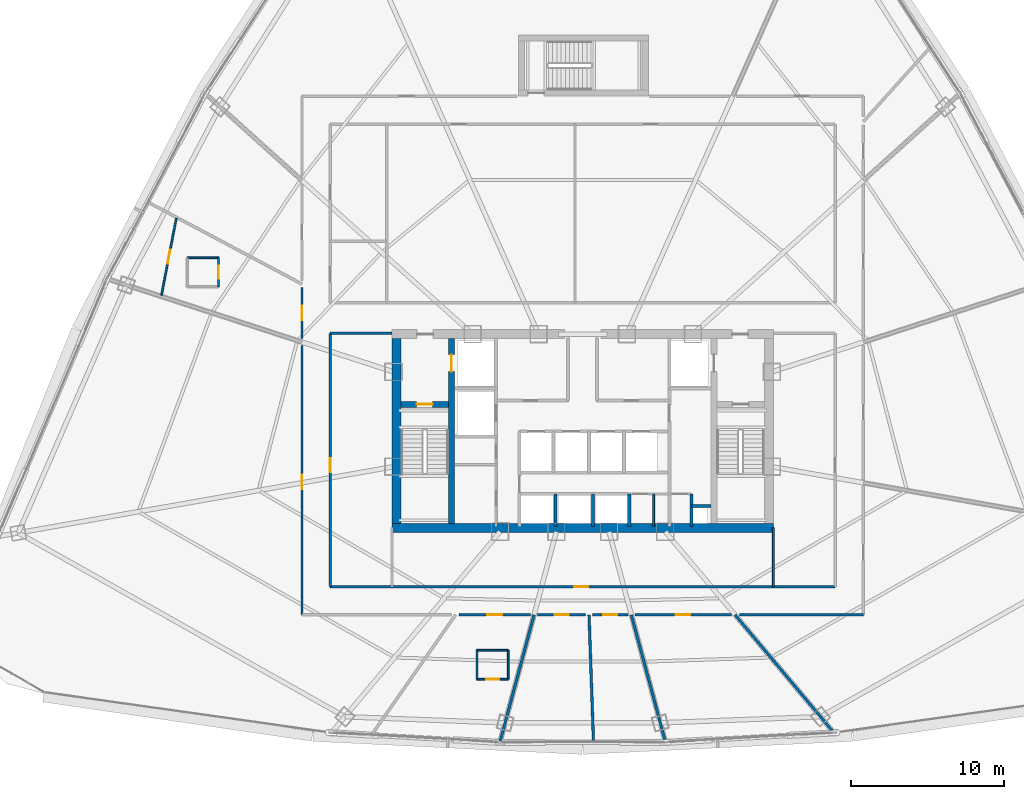
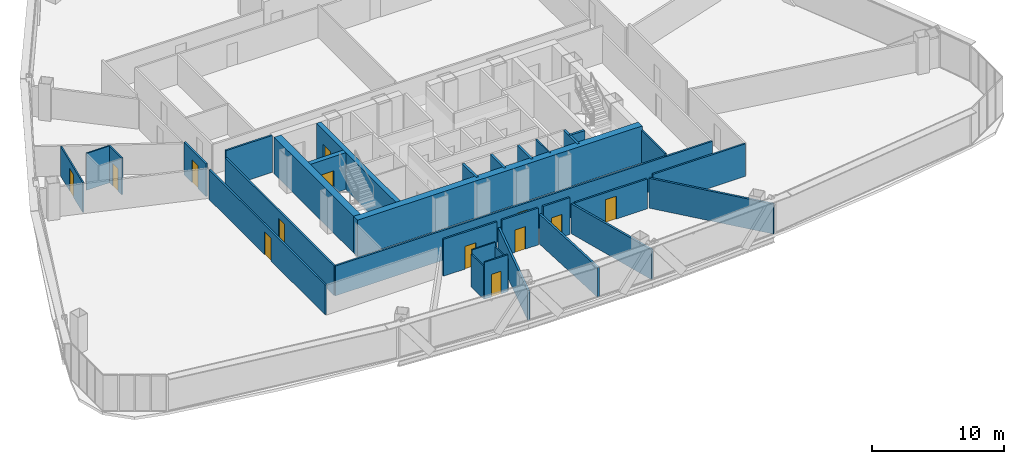
# One storey, part 34 of 41: 32 walls, 13 doors, 13 openings.
"""IFC4 building model written with IfcOpenShell, lengths in metres."""

from ifc_helpers import new_model, si_unit, direction, frame, frame_2d, origin, origin_with_axes, place, context, subcontext, project, spatial, rectangle, extrude, source, transform, mapped, material, layer, layer_set, type_object, element, fill, save


model = new_model("IFC4")

# Units and contexts
model_context = context("Model", 3, precision=1e-05, world=origin(), true_north=direction((0.0, 1.0)))
body_context = subcontext(model_context, "Body", "Model", "MODEL_VIEW")
ifc_project = project(units=[si_unit("LENGTHUNIT", "METRE"), si_unit("AREAUNIT", "SQUARE_METRE"), si_unit("VOLUMEUNIT", "CUBIC_METRE"), si_unit("PLANEANGLEUNIT", "RADIAN"), si_unit("MASSUNIT", "GRAM", prefix="KILO"), si_unit("THERMODYNAMICTEMPERATUREUNIT", "KELVIN"), si_unit("POWERUNIT", "WATT")], contexts=[model_context])

# Site, building, storey
site_placement = place(None, origin())
site = spatial("IfcSite", under=ifc_project, at=site_placement, CompositionType="ELEMENT")
building_placement = place(site_placement, origin())
building = spatial("IfcBuilding", under=site, at=building_placement, Name="Yunzhuo Pagoda Commons", CompositionType="ELEMENT")
storey_placement = place(building_placement, frame((0.0, 0.0, 155.590087890625)))
storey = spatial("IfcBuildingStorey", under=building, at=storey_placement, Name="L39", CompositionType="ELEMENT", Elevation=155.590087890625)

# Walls
ifc_material_1 = material(Name="Concrete C60", Category="concrete")
ifc_layer_1 = layer(ifc_material_1, 0.60009765625)
ifc_layer_set_1 = layer_set([ifc_layer_1], Name="Concrete C60")
wall_type_1 = type_object("IfcWallType", Name="W-C02 Mid Core Shear Wall 600", PredefinedType="SHEAR", material=ifc_layer_set_1)
wall_1_placement = place(storey_placement, frame((35.5, 27.5, 0.0), z_axis=(0.0, 0.0, 1.0), x_axis=(1.0, 0.0, 0.0)))
element("IfcWall", 1, at=wall_1_placement, inside=storey, type_object=wall_type_1, Name="L39 core shear wall S", PredefinedType="SHEAR", context=body_context, shape_type="SweptSolid", body=[
    extrude(rectangle(XDim=25.0, YDim=0.60009765625, at=frame_2d((12.5, 0.0))), origin(), (0.0, 0.0, 1.0), 3.419921875),
])
wall_2_placement = place(storey_placement, frame((35.800048828125, 27.800048828125, 0.0), z_axis=(0.0, 0.0, 1.0), x_axis=(0.0, 1.0, 0.0)))
element("IfcWall", 2, at=wall_2_placement, inside=storey, type_object=wall_type_1, Name="L39 core shear wall W", PredefinedType="SHEAR", context=body_context, shape_type="SweptSolid", body=[
    extrude(rectangle(XDim=12.099853515625, YDim=0.60009765625, at=frame_2d((6.0498046875, 0.0))), origin(), (0.0, 0.0, 1.0), 3.419921875),
])

# Wall, opening, door
ifc_material_2 = material(Name="Gypsum plasterboard on acoustic stud")
ifc_layer_2 = layer(ifc_material_2, 0.155029296875)
ifc_layer_set_2 = layer_set([ifc_layer_2], Name="Gypsum plasterboard on acoustic stud")
wall_type_2 = type_object("IfcWallType", Name="W-COR2 Mid-Zone Rated Corridor Wall 155", PredefinedType="PARTITIONING", material=ifc_layer_set_2)
wall_3_placement = place(storey_placement, frame((31.449951171875, 23.64990234375, 0.0), z_axis=(0.0, 0.0, 1.0), x_axis=(0.0, 1.0, 0.0)))
wall_3 = element("IfcWall", 3, at=wall_3_placement, inside=storey, type_object=wall_type_2, Name="L39 interior wall IW-L39-SFLW", PredefinedType="PARTITIONING", context=body_context, shape_type="SweptSolid", body=[
    extrude(rectangle(XDim=16.60009765625, YDim=0.155029296875, at=frame_2d((8.300048828125, 0.0))), origin(), (0.0, 0.0, 1.0), 2.77001953125),
])
opening_1_placement = place(wall_3_placement, frame((7.5, 0.0, 0.0)))
opening_1 = element("IfcOpeningElement", 4, at=opening_1_placement, cuts=wall_3, Name="Opening D-12", PredefinedType="OPENING", context=body_context, shape_type="SweptSolid", body=[
    extrude(rectangle(XDim=0.89990234375, YDim=2.080078125, at=frame_2d((0.449951171875, 1.0400390625))), frame((0.0, 0.08740234375, 0.0), z_axis=(0.0, -1.0, 0.0), x_axis=(1.0, 0.0, 0.0)), (0.0, 0.0, 1.0), 0.175048828125),
])
ifc_material_3 = material(Name="Powder-coated aluminium and timber acoustic leaf", Category="wood")
door_type_1 = type_object("IfcDoorType", Name="D-12 Quiet Study Interior Door 900x2080", OperationType="NOTDEFINED", PredefinedType="DOOR", material=ifc_material_3)
shared_shape_1 = source(origin(), body_context, "Body", "SweptSolid", [
    extrude(rectangle(XDim=0.89990234375, YDim=2.080078125, at=frame_2d((0.449951171875, 1.0400390625))), frame((0.0, 0.02490234375, 0.0), z_axis=(0.0, -1.0, 0.0), x_axis=(1.0, 0.0, 0.0)), (0.0, 0.0, 1.0), 0.050048828125),
])
door_1_placement = place(opening_1_placement, origin_with_axes())
door_1 = element("IfcDoor", 5, at=door_1_placement, inside=storey, type_object=door_type_1, Name="L39 west study workroom door", OperationType="SINGLE_SWING_LEFT", OverallHeight=2.080078125, OverallWidth=0.89990234375, PredefinedType="DOOR", context=body_context, shape_type="MappedRepresentation", body=[
    mapped(shared_shape_1, transform((0.0, 0.0, 0.0), scale=1.0)),
])
fill(opening_1, door_1)

wall_4_placement = place(storey_placement, frame((31.449951171875, 23.64990234375, 0.0), z_axis=(0.0, 0.0, 1.0), x_axis=(1.0, 0.0, 0.0)))
wall_4 = element("IfcWall", 6, at=wall_4_placement, inside=storey, type_object=wall_type_2, Name="L39 interior wall IW-L39-SFLS", PredefinedType="PARTITIONING", context=body_context, shape_type="SweptSolid", body=[
    extrude(rectangle(XDim=33.10009765625, YDim=0.155029296875, at=frame_2d((16.550048828125, 0.0))), origin(), (0.0, 0.0, 1.0), 2.77001953125),
])
opening_2_placement = place(wall_4_placement, frame((16.0, 0.0, 0.0)))
opening_2 = element("IfcOpeningElement", 7, at=opening_2_placement, cuts=wall_4, Name="Opening D-04", PredefinedType="OPENING", context=body_context, shape_type="SweptSolid", body=[
    extrude(rectangle(XDim=0.919921875, YDim=2.10009765625, at=frame_2d((0.4599609375, 1.050048828125))), frame((0.0, 0.08740234375, 0.0), z_axis=(0.0, -1.0, 0.0), x_axis=(1.0, 0.0, 0.0)), (0.0, 0.0, 1.0), 0.175048828125),
])
door_type_2 = type_object("IfcDoorType", Name="D-04 Bedroom & Study Interior Door 920x2100", OperationType="NOTDEFINED", PredefinedType="DOOR", material=ifc_material_3)
shared_shape_2 = source(origin(), body_context, "Body", "SweptSolid", [
    extrude(rectangle(XDim=0.919921875, YDim=2.10009765625, at=frame_2d((0.4599609375, 1.050048828125))), frame((0.0, 0.02490234375, 0.0), z_axis=(0.0, -1.0, 0.0), x_axis=(1.0, 0.0, 0.0)), (0.0, 0.0, 1.0), 0.050048828125),
])
door_2_placement = place(opening_2_placement, frame((0.919921875, 0.0, 0.0), z_axis=(0.0, 0.0, 1.0), x_axis=(-1.0, 0.0, 0.0)))
door_2 = element("IfcDoor", 8, at=door_2_placement, inside=storey, type_object=door_type_2, Name="L39 south seminar room door", OperationType="SINGLE_SWING_RIGHT", OverallHeight=2.10009765625, OverallWidth=0.919921875, PredefinedType="DOOR", context=body_context, shape_type="MappedRepresentation", body=[
    mapped(shared_shape_2, transform((0.0, 0.0, 0.0), scale=1.0)),
])
fill(opening_2, door_2)

# Wall
wall_5_placement = place(storey_placement, frame((31.449951171875, 40.25, 0.0), z_axis=(0.0, 0.0, 1.0), x_axis=(1.0, 0.0, 0.0)))
element("IfcWall", 9, at=wall_5_placement, inside=storey, type_object=wall_type_2, Name="L39 interior wall IW-L39-SFLNW", PredefinedType="PARTITIONING", context=body_context, shape_type="SweptSolid", body=[
    extrude(rectangle(XDim=4.050048828125, YDim=0.155029296875, at=frame_2d((2.02490234375, 0.0))), origin(), (0.0, 0.0, 1.0), 3.419921875),
])

# Wall, opening, door
wall_6_placement = place(storey_placement, frame((29.60009765625, 21.800048828125, 0.0), z_axis=(0.0, 0.0, 1.0), x_axis=(0.0, 1.0, 0.0)))
wall_6 = element("IfcWall", 10, at=wall_6_placement, inside=storey, type_object=wall_type_2, Name="L39 interior wall IW-L39-CWL01", PredefinedType="PARTITIONING", context=body_context, shape_type="SweptSolid", body=[
    extrude(rectangle(XDim=17.65869140625, YDim=0.155029296875, at=frame_2d((8.829345703125, 0.0))), origin(), (0.0, 0.0, 1.0), 2.77001953125),
])
opening_3_placement = place(wall_6_placement, frame((8.234375, 0.0, 0.0)))
opening_3 = element("IfcOpeningElement", 11, at=opening_3_placement, cuts=wall_6, Name="Opening D-07", PredefinedType="OPENING", context=body_context, shape_type="SweptSolid", body=[
    extrude(rectangle(XDim=0.9599609375, YDim=2.1201171875, at=frame_2d((0.47998046875, 1.06005859375))), frame((0.0, 0.08740234375, 0.0), z_axis=(0.0, -1.0, 0.0), x_axis=(1.0, 0.0, 0.0)), (0.0, 0.0, 1.0), 0.175048828125),
])
ifc_material_4 = material(Name="Galvanized fire-resisting metal leaf")
door_type_3 = type_object("IfcDoorType", Name="D-07 Mid-Zone Suite Entrance Fire Door 960x2120", OperationType="NOTDEFINED", PredefinedType="DOOR", material=ifc_material_4)
shared_shape_3 = source(origin(), body_context, "Body", "SweptSolid", [
    extrude(rectangle(XDim=0.9599609375, YDim=2.1201171875, at=frame_2d((0.47998046875, 1.06005859375))), frame((0.0, 0.02490234375, 0.0), z_axis=(0.0, -1.0, 0.0), x_axis=(1.0, 0.0, 0.0)), (0.0, 0.0, 1.0), 0.050048828125),
])
door_3_placement = place(opening_3_placement, origin_with_axes())
door_3 = element("IfcDoor", 12, at=door_3_placement, inside=storey, type_object=door_type_3, Name="L39 Resident Co-Living Commons Hall door", OperationType="SINGLE_SWING_RIGHT", OverallHeight=2.1201171875, OverallWidth=0.9599609375, PredefinedType="DOOR", context=body_context, shape_type="MappedRepresentation", body=[
    mapped(shared_shape_3, transform((0.0, 0.0, 0.0), scale=1.0)),
])
fill(opening_3, door_3)

wall_7_placement = place(storey_placement, frame((29.60009765625, 39.909912109375, 0.0), z_axis=(0.0, 0.0, 1.0), x_axis=(0.0, 1.0, 0.0)))
wall_7 = element("IfcWall", 13, at=wall_7_placement, inside=storey, type_object=wall_type_2, Name="L39 interior wall IW-L39-CWL02", PredefinedType="PARTITIONING", context=body_context, shape_type="SweptSolid", body=[
    extrude(rectangle(XDim=3.353515625, YDim=0.155029296875, at=frame_2d((1.6767578125, 0.0))), origin(), (0.0, 0.0, 1.0), 3.02001953125),
])
opening_4_placement = place(wall_7_placement, frame((1.1962890625, 0.0, 0.0)))
opening_4 = element("IfcOpeningElement", 14, at=opening_4_placement, cuts=wall_7, Name="Opening D-07", PredefinedType="OPENING", context=body_context, shape_type="SweptSolid", body=[
    extrude(rectangle(XDim=0.9599609375, YDim=2.1201171875, at=frame_2d((0.47998046875, 1.06005859375))), frame((0.0, 0.08740234375, 0.0), z_axis=(0.0, -1.0, 0.0), x_axis=(1.0, 0.0, 0.0)), (0.0, 0.0, 1.0), 0.175048828125),
])
door_4_placement = place(opening_4_placement, origin_with_axes())
door_4 = element("IfcDoor", 15, at=door_4_placement, inside=storey, type_object=door_type_3, Name="L39 unit 07 entrance door", OperationType="SINGLE_SWING_LEFT", OverallHeight=2.1201171875, OverallWidth=0.9599609375, PredefinedType="DOOR", context=body_context, shape_type="MappedRepresentation", body=[
    mapped(shared_shape_3, transform((0.0, 0.0, 0.0), scale=1.0)),
])
fill(opening_4, door_4)

# Wall
wall_8_placement = place(storey_placement, frame((66.39990234375, 21.800048828125, 0.0), z_axis=(0.0, 0.0, 1.0), x_axis=(-1.0, 0.0, 0.0)))
element("IfcWall", 16, at=wall_8_placement, inside=storey, type_object=wall_type_2, Name="L39 interior wall IW-L39-CWL13", PredefinedType="PARTITIONING", context=body_context, shape_type="SweptSolid", body=[
    extrude(rectangle(XDim=8.12744140625, YDim=0.155029296875, at=frame_2d((4.063720703125, 0.0))), origin(), (0.0, 0.0, 1.0), 3.02001953125),
])

# Wall, opening, door
wall_9_placement = place(storey_placement, frame((57.765380859375, 21.800048828125, 0.0), z_axis=(0.0, 0.0, 1.0), x_axis=(-1.0, 0.0, 0.0)))
wall_9 = element("IfcWall", 17, at=wall_9_placement, inside=storey, type_object=wall_type_2, Name="L39 interior wall IW-L39-CWL14", PredefinedType="PARTITIONING", context=body_context, shape_type="SweptSolid", body=[
    extrude(rectangle(XDim=6.348876953125, YDim=0.155029296875, at=frame_2d((3.17431640625, 0.0))), origin(), (0.0, 0.0, 1.0), 2.77001953125),
])
opening_5_placement = place(wall_9_placement, frame((2.703369140625, 0.0, 0.0)))
opening_5 = element("IfcOpeningElement", 18, at=opening_5_placement, cuts=wall_9, Name="Opening D-07", PredefinedType="OPENING", context=body_context, shape_type="SweptSolid", body=[
    extrude(rectangle(XDim=0.9599609375, YDim=2.1201171875, at=frame_2d((0.47998046875, 1.06005859375))), frame((0.0, 0.08740234375, 0.0), z_axis=(0.0, -1.0, 0.0), x_axis=(1.0, 0.0, 0.0)), (0.0, 0.0, 1.0), 0.175048828125),
])
door_5_placement = place(opening_5_placement, origin_with_axes())
door_5 = element("IfcDoor", 19, at=door_5_placement, inside=storey, type_object=door_type_3, Name="L39 unit 12 entrance door", OperationType="SINGLE_SWING_RIGHT", OverallHeight=2.1201171875, OverallWidth=0.9599609375, PredefinedType="DOOR", context=body_context, shape_type="MappedRepresentation", body=[
    mapped(shared_shape_3, transform((0.0, 0.0, 0.0), scale=1.0)),
])
fill(opening_5, door_5)

wall_10_placement = place(storey_placement, frame((50.96875, 21.800048828125, 0.0), z_axis=(0.0, 0.0, 1.0), x_axis=(-1.0, 0.0, 0.0)))
wall_10 = element("IfcWall", 20, at=wall_10_placement, inside=storey, type_object=wall_type_2, Name="L39 interior wall IW-L39-CWL15", PredefinedType="PARTITIONING", context=body_context, shape_type="SweptSolid", body=[
    extrude(rectangle(XDim=2.3330078125, YDim=0.155029296875, at=frame_2d((1.16650390625, 0.0))), origin(), (0.0, 0.0, 1.0), 3.419921875),
])
opening_6_placement = place(wall_10_placement, frame((0.706787109375, 0.0, 0.0)))
opening_6 = element("IfcOpeningElement", 21, at=opening_6_placement, cuts=wall_10, Name="Opening D-04", PredefinedType="OPENING", context=body_context, shape_type="SweptSolid", body=[
    extrude(rectangle(XDim=0.919921875, YDim=2.10009765625, at=frame_2d((0.4599609375, 1.050048828125))), frame((0.0, 0.08740234375, 0.0), z_axis=(0.0, -1.0, 0.0), x_axis=(1.0, 0.0, 0.0)), (0.0, 0.0, 1.0), 0.175048828125),
])
door_6_placement = place(opening_6_placement, origin_with_axes())
door_6 = element("IfcDoor", 22, at=door_6_placement, inside=storey, type_object=door_type_2, Name="L39 fellow workroom 11 door", OperationType="SINGLE_SWING_LEFT", OverallHeight=2.10009765625, OverallWidth=0.919921875, PredefinedType="DOOR", context=body_context, shape_type="MappedRepresentation", body=[
    mapped(shared_shape_2, transform((0.0, 0.0, 0.0), scale=1.0)),
])
fill(opening_6, door_6)

wall_11_placement = place(storey_placement, frame((48.19580078125, 21.800048828125, 0.0), z_axis=(0.0, 0.0, 1.0), x_axis=(-1.0, 0.0, 0.0)))
wall_11 = element("IfcWall", 23, at=wall_11_placement, inside=storey, type_object=wall_type_2, Name="L39 interior wall IW-L39-CWL16", PredefinedType="PARTITIONING", context=body_context, shape_type="SweptSolid", body=[
    extrude(rectangle(XDim=3.16455078125, YDim=0.155029296875, at=frame_2d((1.582275390625, 0.0))), origin(), (0.0, 0.0, 1.0), 3.419921875),
])
opening_7_placement = place(wall_11_placement, frame((1.122314453125, 0.0, 0.0)))
opening_7 = element("IfcOpeningElement", 24, at=opening_7_placement, cuts=wall_11, Name="Opening D-04", PredefinedType="OPENING", context=body_context, shape_type="SweptSolid", body=[
    extrude(rectangle(XDim=0.919921875, YDim=2.10009765625, at=frame_2d((0.4599609375, 1.050048828125))), frame((0.0, 0.08740234375, 0.0), z_axis=(0.0, -1.0, 0.0), x_axis=(1.0, 0.0, 0.0)), (0.0, 0.0, 1.0), 0.175048828125),
])
door_7_placement = place(opening_7_placement, origin_with_axes())
door_7 = element("IfcDoor", 25, at=door_7_placement, inside=storey, type_object=door_type_2, Name="L39 fellow workroom 10 door", OperationType="SINGLE_SWING_RIGHT", OverallHeight=2.10009765625, OverallWidth=0.919921875, PredefinedType="DOOR", context=body_context, shape_type="MappedRepresentation", body=[
    mapped(shared_shape_2, transform((0.0, 0.0, 0.0), scale=1.0)),
])
fill(opening_7, door_7)

wall_12_placement = place(storey_placement, frame((44.58349609375, 21.800048828125, 0.0), z_axis=(0.0, 0.0, 1.0), x_axis=(-1.0, 0.0, 0.0)))
wall_12 = element("IfcWall", 26, at=wall_12_placement, inside=storey, type_object=wall_type_2, Name="L39 interior wall IW-L39-CWL17", PredefinedType="PARTITIONING", context=body_context, shape_type="SweptSolid", body=[
    extrude(rectangle(XDim=4.6962890625, YDim=0.155029296875, at=frame_2d((2.34814453125, 0.0))), origin(), (0.0, 0.0, 1.0), 3.419921875),
])
opening_8_placement = place(wall_12_placement, frame((1.869140625, 0.0, 0.0)))
opening_8 = element("IfcOpeningElement", 27, at=opening_8_placement, cuts=wall_12, Name="Opening D-07", PredefinedType="OPENING", context=body_context, shape_type="SweptSolid", body=[
    extrude(rectangle(XDim=0.9599609375, YDim=2.1201171875, at=frame_2d((0.47998046875, 1.06005859375))), frame((0.0, 0.08740234375, 0.0), z_axis=(0.0, -1.0, 0.0), x_axis=(1.0, 0.0, 0.0)), (0.0, 0.0, 1.0), 0.175048828125),
])
door_8_placement = place(opening_8_placement, origin_with_axes())
door_8 = element("IfcDoor", 28, at=door_8_placement, inside=storey, type_object=door_type_3, Name="L39 unit 09 entrance door", OperationType="SINGLE_SWING_LEFT", OverallHeight=2.1201171875, OverallWidth=0.9599609375, PredefinedType="DOOR", context=body_context, shape_type="MappedRepresentation", body=[
    mapped(shared_shape_3, transform((0.0, 0.0, 0.0), scale=1.0)),
])
fill(opening_8, door_8)

# Walls
ifc_layer_3 = layer(ifc_material_2, 0.1201171875)
ifc_layer_set_3 = layer_set([ifc_layer_3], Name="Gypsum plasterboard on acoustic stud")
wall_type_3 = type_object("IfcWallType", Name="W-PRT1 Suite & Bathroom Partition 120", PredefinedType="PARTITIONING", material=ifc_layer_set_3)
wall_13_placement = place(storey_placement, frame((52.64990234375, 27.60009765625, 0.0), z_axis=(0.0, 0.0, 1.0), x_axis=(0.0, 1.0, 0.0)))
element("IfcWall", 29, at=wall_13_placement, inside=storey, type_object=wall_type_3, Name="L39 interior wall IW-L39-CD2", PredefinedType="PARTITIONING", context=body_context, shape_type="SweptSolid", body=[
    extrude(rectangle(XDim=2.119873046875, YDim=0.1201171875, at=frame_2d((1.06005859375, 0.0))), origin(), (0.0, 0.0, 1.0), 3.419921875),
])
wall_14_placement = place(storey_placement, frame((60.5, 23.64990234375, 0.0), z_axis=(0.0, 0.0, 1.0), x_axis=(0.0, 1.0, 0.0)))
element("IfcWall", 30, at=wall_14_placement, inside=storey, type_object=wall_type_3, Name="L39 interior wall IW-L39-SFLD2", PredefinedType="PARTITIONING", context=body_context, shape_type="SweptSolid", body=[
    extrude(rectangle(XDim=3.85009765625, YDim=0.1201171875, at=frame_2d((1.925048828125, 0.0))), origin(), (0.0, 0.0, 1.0), 3.02001953125),
])

# Wall, opening, door
wall_15_placement = place(storey_placement, frame((24.1298828125, 43.31005859375, 0.0), z_axis=(0.0, 0.0, 1.0), x_axis=(0.0, 1.0, 0.0)))
wall_15 = element("IfcWall", 31, at=wall_15_placement, inside=storey, type_object=wall_type_3, Name="L39 interior wall IW-L39-B07E", PredefinedType="PARTITIONING", context=body_context, shape_type="SweptSolid", body=[
    extrude(rectangle(XDim=1.89990234375, YDim=0.1201171875, at=frame_2d((0.949951171875, 0.0))), origin(), (0.0, 0.0, 1.0), 3.419921875),
])
opening_9_placement = place(wall_15_placement, frame((0.52490234375, 0.0, 0.0)))
opening_9 = element("IfcOpeningElement", 32, at=opening_9_placement, cuts=wall_15, Name="Opening D-05", PredefinedType="OPENING", context=body_context, shape_type="SweptSolid", body=[
    extrude(rectangle(XDim=0.85009765625, YDim=2.10009765625, at=frame_2d((0.425048828125, 1.050048828125))), frame((0.0, 0.070068359375, 0.0), z_axis=(0.0, -1.0, 0.0), x_axis=(1.0, 0.0, 0.0)), (0.0, 0.0, 1.0), 0.14013671875),
])
door_type_4 = type_object("IfcDoorType", Name="D-05 En-Suite Bathroom Door 850x2100", OperationType="NOTDEFINED", PredefinedType="DOOR", material=ifc_material_3)
shared_shape_4 = source(origin(), body_context, "Body", "SweptSolid", [
    extrude(rectangle(XDim=0.85009765625, YDim=2.10009765625, at=frame_2d((0.425048828125, 1.050048828125))), frame((0.0, 0.02490234375, 0.0), z_axis=(0.0, -1.0, 0.0), x_axis=(1.0, 0.0, 0.0)), (0.0, 0.0, 1.0), 0.050048828125),
])
door_9_placement = place(opening_9_placement, frame((0.85009765625, 0.0, 0.0), z_axis=(0.0, 0.0, 1.0), x_axis=(-1.0, 0.0, 0.0)))
door_9 = element("IfcDoor", 33, at=door_9_placement, inside=storey, type_object=door_type_4, Name="L39 unit 07 bathroom door", OperationType="SINGLE_SWING_LEFT", OverallHeight=2.10009765625, OverallWidth=0.85009765625, PredefinedType="DOOR", context=body_context, shape_type="MappedRepresentation", body=[
    mapped(shared_shape_4, transform((0.0, 0.0, 0.0), scale=1.0)),
])
fill(opening_9, door_9)

# Wall
wall_16_placement = place(storey_placement, frame((24.1298828125, 45.2099609375, 0.0), z_axis=(0.0, 0.0, 1.0), x_axis=(-1.0, 0.0, 0.0)))
element("IfcWall", 34, at=wall_16_placement, inside=storey, type_object=wall_type_3, Name="L39 interior wall IW-L39-B07N", PredefinedType="PARTITIONING", context=body_context, shape_type="SweptSolid", body=[
    extrude(rectangle(XDim=2.0498046875, YDim=0.1201171875, at=frame_2d((1.02490234375, 0.0))), origin(), (0.0, 0.0, 1.0), 3.419921875),
])

# Wall, opening, door
wall_17_placement = place(storey_placement, frame((21.363525390625, 47.794921875, 0.0), z_axis=(0.0, 0.0, 1.0), x_axis=(-0.188731428073, -0.982028740953, 0.0)))
wall_17 = element("IfcWall", 35, at=wall_17_placement, inside=storey, type_object=wall_type_3, Name="L39 interior wall IW-L39-CLB07", PredefinedType="PARTITIONING", context=body_context, shape_type="SweptSolid", body=[
    extrude(rectangle(XDim=5.153564453125, YDim=0.1201171875, at=frame_2d((2.57666015625, 0.0))), origin(), (0.0, 0.0, 1.0), 2.77001953125),
])
opening_10_placement = place(wall_17_placement, frame((2.116943359375, 0.0, 0.0)))
opening_10 = element("IfcOpeningElement", 36, at=opening_10_placement, cuts=wall_17, Name="Opening D-04", PredefinedType="OPENING", context=body_context, shape_type="SweptSolid", body=[
    extrude(rectangle(XDim=0.919921875, YDim=2.10009765625, at=frame_2d((0.4599609375, 1.050048828125))), frame((0.0, 0.070068359375, 0.0), z_axis=(0.0, -1.0, 0.0), x_axis=(1.0, 0.0, 0.0)), (0.0, 0.0, 1.0), 0.14013671875),
])
door_10_placement = place(opening_10_placement, origin_with_axes())
door_10 = element("IfcDoor", 37, at=door_10_placement, inside=storey, type_object=door_type_2, Name="L39 suite 07 bedroom door", OperationType="SINGLE_SWING_LEFT", OverallHeight=2.10009765625, OverallWidth=0.919921875, PredefinedType="DOOR", context=body_context, shape_type="MappedRepresentation", body=[
    mapped(shared_shape_2, transform((0.0, 0.0, 0.0), scale=1.0)),
])
fill(opening_10, door_10)

wall_18_placement = place(storey_placement, frame((41.06689453125, 17.5810546875, 0.0), z_axis=(0.0, 0.0, 1.0), x_axis=(1.0, 0.0, 0.0)))
wall_18 = element("IfcWall", 38, at=wall_18_placement, inside=storey, type_object=wall_type_3, Name="L39 interior wall IW-L39-B09S", PredefinedType="PARTITIONING", context=body_context, shape_type="SweptSolid", body=[
    extrude(rectangle(XDim=2.050048828125, YDim=0.1201171875, at=frame_2d((1.02490234375, 0.0))), origin(), (0.0, 0.0, 1.0), 3.419921875),
])
opening_11_placement = place(wall_18_placement, frame((0.60009765625, 0.0, 0.0)))
opening_11 = element("IfcOpeningElement", 39, at=opening_11_placement, cuts=wall_18, Name="Opening D-05", PredefinedType="OPENING", context=body_context, shape_type="SweptSolid", body=[
    extrude(rectangle(XDim=0.85009765625, YDim=2.10009765625, at=frame_2d((0.425048828125, 1.050048828125))), frame((0.0, 0.070068359375, 0.0), z_axis=(0.0, -1.0, 0.0), x_axis=(1.0, 0.0, 0.0)), (0.0, 0.0, 1.0), 0.14013671875),
])
door_11_placement = place(opening_11_placement, frame((0.85009765625, 0.0, 0.0), z_axis=(0.0, 0.0, 1.0), x_axis=(-1.0, 0.0, 0.0)))
door_11 = element("IfcDoor", 40, at=door_11_placement, inside=storey, type_object=door_type_4, Name="L39 unit 09 bathroom door", OperationType="SINGLE_SWING_LEFT", OverallHeight=2.10009765625, OverallWidth=0.85009765625, PredefinedType="DOOR", context=body_context, shape_type="MappedRepresentation", body=[
    mapped(shared_shape_4, transform((0.0, 0.0, 0.0), scale=1.0)),
])
fill(opening_11, door_11)

# Walls
wall_19_placement = place(storey_placement, frame((43.116943359375, 17.5810546875, 0.0), z_axis=(0.0, 0.0, 1.0), x_axis=(0.0, 1.0, 0.0)))
element("IfcWall", 41, at=wall_19_placement, inside=storey, type_object=wall_type_3, Name="L39 interior wall IW-L39-B09E", PredefinedType="PARTITIONING", context=body_context, shape_type="SweptSolid", body=[
    extrude(rectangle(XDim=1.89990234375, YDim=0.1201171875, at=frame_2d((0.949951171875, 0.0))), origin(), (0.0, 0.0, 1.0), 3.02001953125),
])
wall_20_placement = place(storey_placement, frame((43.116943359375, 19.48095703125, 0.0), z_axis=(0.0, 0.0, 1.0), x_axis=(-1.0, 0.0, 0.0)))
element("IfcWall", 42, at=wall_20_placement, inside=storey, type_object=wall_type_3, Name="L39 interior wall IW-L39-B09N", PredefinedType="PARTITIONING", context=body_context, shape_type="SweptSolid", body=[
    extrude(rectangle(XDim=2.050048828125, YDim=0.1201171875, at=frame_2d((1.02490234375, 0.0))), origin(), (0.0, 0.0, 1.0), 3.419921875),
])
wall_21_placement = place(storey_placement, frame((41.06689453125, 19.48095703125, 0.0), z_axis=(0.0, 0.0, 1.0), x_axis=(0.0, -1.0, 0.0)))
element("IfcWall", 43, at=wall_21_placement, inside=storey, type_object=wall_type_3, Name="L39 interior wall IW-L39-B09W", PredefinedType="PARTITIONING", context=body_context, shape_type="SweptSolid", body=[
    extrude(rectangle(XDim=1.89990234375, YDim=0.1201171875, at=frame_2d((0.949951171875, 0.0))), origin(), (0.0, 0.0, 1.0), 3.02001953125),
])
ifc_layer_4 = layer(ifc_material_2, 0.175048828125)
ifc_layer_set_4 = layer_set([ifc_layer_4], Name="Gypsum plasterboard on acoustic stud")
wall_type_4 = type_object("IfcWallType", Name="W-PRT3 Mid-Zone Demising Wall 175", PredefinedType="PARTITIONING", material=ifc_layer_set_4)
wall_22_placement = place(storey_placement, frame((44.811279296875, 21.800048828125, 0.0), z_axis=(0.0, 0.0, 1.0), x_axis=(-0.258790159725, -0.96593356564, 0.0)))
element("IfcWall", 44, at=wall_22_placement, inside=storey, type_object=wall_type_4, Name="L39 interior wall IW-L39-RAD09", PredefinedType="PARTITIONING", context=body_context, shape_type="SweptSolid", body=[
    extrude(rectangle(XDim=8.65087890625, YDim=0.175048828125, at=frame_2d((4.325439453125, 0.0))), origin(), (0.0, 0.0, 1.0), 2.77001953125),
])
wall_23_placement = place(storey_placement, frame((48.41552734375, 21.800048828125, 0.0), z_axis=(0.0, 0.0, 1.0), x_axis=(0.034921859784, -0.999390045833, 0.0)))
element("IfcWall", 45, at=wall_23_placement, inside=storey, type_object=wall_type_4, Name="L39 interior wall IW-L39-RAD10", PredefinedType="PARTITIONING", context=body_context, shape_type="SweptSolid", body=[
    extrude(rectangle(XDim=8.361328125, YDim=0.175048828125, at=frame_2d((4.1806640625, 0.0))), origin(), (0.0, 0.0, 1.0), 2.77001953125),
])
wall_24_placement = place(storey_placement, frame((51.188720703125, 21.800048828125, 0.0), z_axis=(0.0, 0.0, 1.0), x_axis=(0.258790159725, -0.96593356564, 0.0)))
element("IfcWall", 46, at=wall_24_placement, inside=storey, type_object=wall_type_4, Name="L39 interior wall IW-L39-RAD11", PredefinedType="PARTITIONING", context=body_context, shape_type="SweptSolid", body=[
    extrude(rectangle(XDim=8.65087890625, YDim=0.175048828125, at=frame_2d((4.325439453125, 0.0))), origin(), (0.0, 0.0, 1.0), 2.77001953125),
])
wall_25_placement = place(storey_placement, frame((57.9853515625, 21.800048828125, 0.0), z_axis=(0.0, 0.0, 1.0), x_axis=(0.642793186641, -0.766039763464, 0.0)))
element("IfcWall", 47, at=wall_25_placement, inside=storey, type_object=wall_type_4, Name="L39 interior wall IW-L39-RAD12", PredefinedType="PARTITIONING", context=body_context, shape_type="SweptSolid", body=[
    extrude(rectangle(XDim=10.0927734375, YDim=0.175048828125, at=frame_2d((5.04638671875, 0.0))), origin(), (0.0, 0.0, 1.0), 2.77001953125),
])

# Wall, opening, door
ifc_layer_5 = layer(ifc_material_1, 0.39990234375)
ifc_layer_set_5 = layer_set([ifc_layer_5], Name="Concrete C60")
wall_type_5 = type_object("IfcWallType", Name="W-S01 Internal Core Shear Web 400", PredefinedType="SHEAR", material=ifc_layer_set_5)
wall_26_placement = place(storey_placement, frame((39.39990234375, 27.800048828125, 0.0), z_axis=(0.0, 0.0, 1.0), x_axis=(0.0, 1.0, 0.0)))
wall_26 = element("IfcWall", 48, at=wall_26_placement, inside=storey, type_object=wall_type_5, Name="L39 core shear wall WEBW", PredefinedType="SHEAR", context=body_context, shape_type="SweptSolid", body=[
    extrude(rectangle(XDim=12.099853515625, YDim=0.39990234375, at=frame_2d((6.0498046875, 0.0))), origin(), (0.0, 0.0, 1.0), 3.419921875),
])
opening_12_placement = place(wall_26_placement, frame((9.949951171875, 0.0, 0.0)))
opening_12 = element("IfcOpeningElement", 49, at=opening_12_placement, cuts=wall_26, Name="Opening LD-01", PredefinedType="OPENING", context=body_context, shape_type="SweptSolid", body=[
    extrude(rectangle(XDim=1.10009765625, YDim=2.10009765625, at=frame_2d((0.550048828125, 1.050048828125))), frame((0.0, 0.2099609375, 0.0), z_axis=(0.0, -1.0, 0.0), x_axis=(1.0, 0.0, 0.0)), (0.0, 0.0, 1.0), 0.419921875),
])
door_type_5 = type_object("IfcDoorType", Name="LD-01 Firefighting Lift Landing Door 1100x2100", OperationType="DOUBLE_DOOR_SLIDING", PredefinedType="DOOR", material=ifc_material_4)
shared_shape_5 = source(origin(), body_context, "Body", "SweptSolid", [
    extrude(rectangle(XDim=1.10009765625, YDim=2.10009765625, at=frame_2d((0.550048828125, 1.050048828125))), frame((0.0, 0.02490234375, 0.0), z_axis=(0.0, -1.0, 0.0), x_axis=(1.0, 0.0, 0.0)), (0.0, 0.0, 1.0), 0.050048828125),
])
door_12_placement = place(opening_12_placement, frame((1.10009765625, 0.0, 0.0), z_axis=(0.0, 0.0, 1.0), x_axis=(-1.0, 0.0, 0.0)))
door_12 = element("IfcDoor", 50, at=door_12_placement, inside=storey, type_object=door_type_5, Name="L39 Firefighting lift FL-1 landing door", OperationType="DOUBLE_DOOR_SLIDING", OverallHeight=2.10009765625, OverallWidth=1.10009765625, PredefinedType="DOOR", context=body_context, shape_type="MappedRepresentation", body=[
    mapped(shared_shape_5, transform((0.0, 0.0, 0.0), scale=1.0)),
])
fill(opening_12, door_12)

wall_27_placement = place(storey_placement, frame((36.10009765625, 35.60009765625, 0.0), z_axis=(0.0, 0.0, 1.0), x_axis=(1.0, 0.0, 0.0)))
wall_27 = element("IfcWall", 51, at=wall_27_placement, inside=storey, type_object=wall_type_5, Name="L39 core shear wall STW", PredefinedType="SHEAR", context=body_context, shape_type="SweptSolid", body=[
    extrude(rectangle(XDim=3.099853515625, YDim=0.39990234375, at=frame_2d((1.5498046875, 0.0))), origin(), (0.0, 0.0, 1.0), 3.419921875),
])
opening_13_placement = place(wall_27_placement, frame((1.02001953125, 0.0, 0.0)))
opening_13 = element("IfcOpeningElement", 52, at=opening_13_placement, cuts=wall_27, Name="Opening D-01", PredefinedType="OPENING", context=body_context, shape_type="SweptSolid", body=[
    extrude(rectangle(XDim=1.050048828125, YDim=2.10009765625, at=frame_2d((0.52490234375, 1.050048828125))), frame((0.0, 0.2099609375, 0.0), z_axis=(0.0, -1.0, 0.0), x_axis=(1.0, 0.0, 0.0)), (0.0, 0.0, 1.0), 0.419921875),
])
door_type_6 = type_object("IfcDoorType", Name="D-01 Smokeproof Stair Fire Door 1050x2100", OperationType="NOTDEFINED", PredefinedType="DOOR", material=ifc_material_4)
shared_shape_6 = source(origin(), body_context, "Body", "SweptSolid", [
    extrude(rectangle(XDim=1.050048828125, YDim=2.10009765625, at=frame_2d((0.52490234375, 1.050048828125))), frame((0.0, 0.02490234375, 0.0), z_axis=(0.0, -1.0, 0.0), x_axis=(1.0, 0.0, 0.0)), (0.0, 0.0, 1.0), 0.050048828125),
])
door_13_placement = place(opening_13_placement, frame((1.050048828125, 0.0, 0.0), z_axis=(0.0, 0.0, 1.0), x_axis=(-1.0, 0.0, 0.0)))
door_13 = element("IfcDoor", 53, at=door_13_placement, inside=storey, type_object=door_type_6, Name="L39 Stair ST1 fire door", OperationType="SINGLE_SWING_LEFT", OverallHeight=2.10009765625, OverallWidth=1.050048828125, PredefinedType="DOOR", context=body_context, shape_type="MappedRepresentation", body=[
    mapped(shared_shape_6, transform((0.0, 0.0, 0.0), scale=1.0)),
])
fill(opening_13, door_13)

# Walls
ifc_material_5 = material(Name="Concrete C40", Category="concrete")
ifc_layer_6 = layer(ifc_material_5, 0.199951171875)
ifc_layer_set_6 = layer_set([ifc_layer_6], Name="Concrete C40")
wall_type_6 = type_object("IfcWallType", Name="W-SHF Shaft & Stair Enclosure Wall 200", PredefinedType="SOLIDWALL", material=ifc_layer_set_6)
for number, where, z_axis, x_axis, name in (
    (54, (51.050048828125, 27.60009765625, 0.0), (0.0, 0.0, 1.0), (0.0, 1.0, 0.0), "L39 interior wall IW-L39-PLHE"),
    (55, (46.22509765625, 27.60009765625, 0.0), (0.0, 0.0, 1.0), (0.0, 1.0, 0.0), "L39 interior wall IW-L39-PLHD1"),
    (56, (48.675048828125, 27.60009765625, 0.0), (0.0, 0.0, 1.0), (0.0, 1.0, 0.0), "L39 interior wall IW-L39-PLHD2"),
    (57, (55.1201171875, 27.60009765625, 0.0), (0.0, 0.0, 1.0), (0.0, 1.0, 0.0), "L39 interior wall IW-L39-RSHFW"),
):
    element("IfcWall", number, at=place(storey_placement, frame(where, z_axis=z_axis, x_axis=x_axis)), inside=storey, type_object=wall_type_6, Name=name, PredefinedType="SOLIDWALL", context=body_context, shape_type="SweptSolid", body=[
        extrude(rectangle(XDim=2.119873046875, YDim=0.199951171875, at=frame_2d((1.06005859375, 0.0))), origin(), (0.0, 0.0, 1.0), 3.419921875),
    ])
wall_28_placement = place(storey_placement, frame((55.1201171875, 28.949951171875, 0.0), z_axis=(0.0, 0.0, 1.0), x_axis=(1.0, 0.0, 0.0)))
element("IfcWall", 58, at=wall_28_placement, inside=storey, type_object=wall_type_6, Name="L39 interior wall IW-L39-RSHFN", PredefinedType="SOLIDWALL", context=body_context, shape_type="SweptSolid", body=[
    extrude(rectangle(XDim=1.27978515625, YDim=0.199951171875, at=frame_2d((0.639892578125, 0.0))), origin(), (0.0, 0.0, 1.0), 3.419921875),
])

save(model, "model.ifc")
